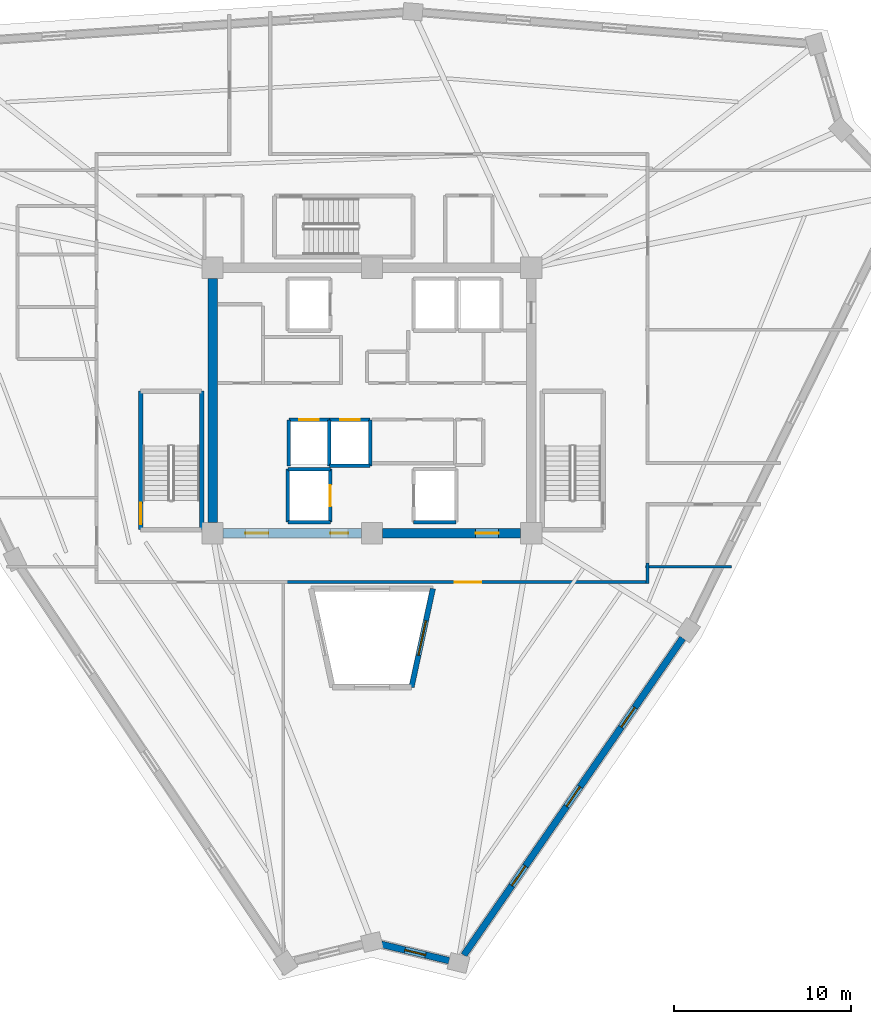
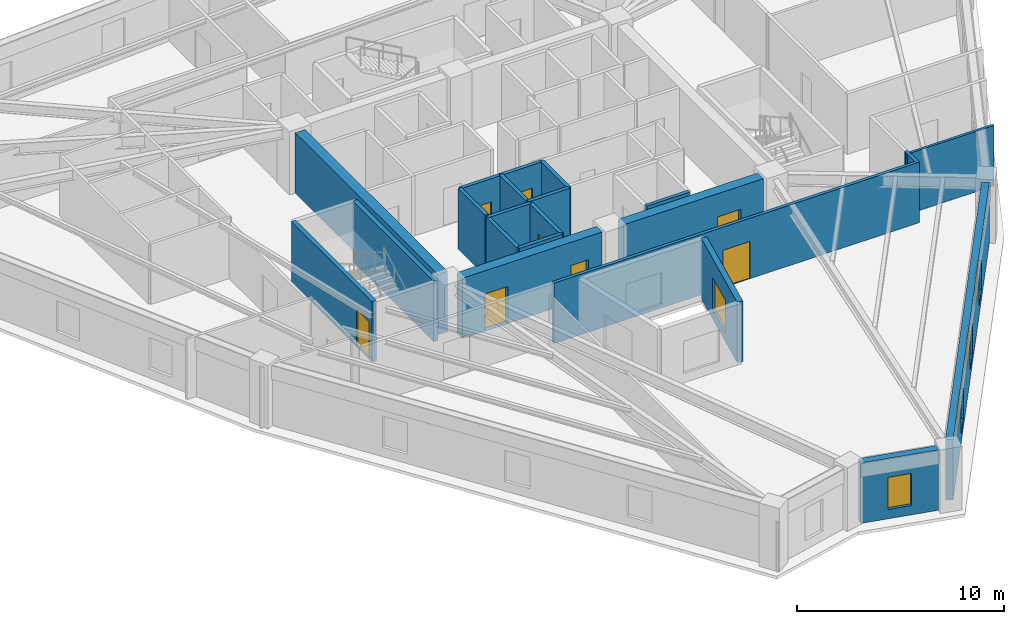
# One storey, part 3 of 8: 22 walls, 8 doors, 5 windows, 13 openings.
"""IFC4 building model written with IfcOpenShell, lengths in metres."""

from ifc_helpers import new_model, si_unit, direction, frame, frame_2d, origin, place, context, subcontext, project, spatial, rectangle, extrude, source, transform, mapped, material, layer, layer_set, type_object, element, fill, save


model = new_model("IFC4")

# Units and contexts
model_context = context("Model", 3, precision=1e-05, world=origin(), true_north=direction((0.0, 1.0)))
body_context = subcontext(model_context, "Body", "Model", "MODEL_VIEW")
ifc_project = project(units=[si_unit("LENGTHUNIT", "METRE"), si_unit("AREAUNIT", "SQUARE_METRE"), si_unit("VOLUMEUNIT", "CUBIC_METRE"), si_unit("PLANEANGLEUNIT", "RADIAN"), si_unit("MASSUNIT", "GRAM", prefix="KILO")], contexts=[model_context])

# Site, building, storey
site_placement = place(None, origin())
site = spatial("IfcSite", under=ifc_project, at=site_placement, CompositionType="ELEMENT")
building_placement = place(site_placement, origin())
building = spatial("IfcBuilding", under=site, at=building_placement, Name="Liaohun Quay Tower", CompositionType="ELEMENT")
storey_placement = place(building_placement, frame((0.0, 0.0, 312.75)))
storey = spatial("IfcBuildingStorey", under=building, at=storey_placement, Name="L81", CompositionType="ELEMENT", Elevation=312.75)

# Wall, opening, window
ifc_material_1 = material(Name="Concrete C50", Category="concrete")
ifc_layer_1 = layer(ifc_material_1, 0.300048828125, Name="Concrete C50", Category="concrete")
ifc_layer_set_1 = layer_set([ifc_layer_1], Name="Concrete C50")
wall_type_1 = type_object("IfcWallType", Name="WAL-ATR-300", PredefinedType="SOLIDWALL", material=ifc_layer_set_1)
wall_1_placement = place(storey_placement, frame((63.44091796875, 43.3701171875, 0.0), z_axis=(0.0, 0.0, 1.0), x_axis=(-0.21145116659, -0.977388563545, 0.0)))
wall_1 = element("IfcWall", 1, at=wall_1_placement, inside=storey, type_object=wall_type_1, Name="L81 Atrium Fire Compartment Wall 3", PredefinedType="SOLIDWALL", context=body_context, shape_type="SweptSolid", body=[
    extrude(rectangle(XDim=5.697998046875, YDim=0.300048828125, at=frame_2d((2.84912109375, 0.0))), origin(), (0.0, 0.0, 1.0), 3.570068359375),
])
shared_shape_1 = source(origin(), body_context, "Body", "SweptSolid", [
    extrude(rectangle(XDim=2.0, YDim=1.89990234375, at=frame_2d((1.0, 0.949951171875))), frame((0.0, 0.159912109375, 0.0), z_axis=(0.0, -1.0, 0.0), x_axis=(1.0, 0.0, 0.0)), (0.0, 0.0, 1.0), 0.320068359375),
])
opening_1_placement = place(wall_1_placement, frame((1.84912109375, 0.0, 0.550048828125)))
opening_1 = element("IfcOpeningElement", 2, at=opening_1_placement, cuts=wall_1, Name="Opening W07", PredefinedType="OPENING", context=body_context, shape_type="MappedRepresentation", body=[
    mapped(shared_shape_1, transform((0.0, 0.0, 0.0), x_axis=(1.0, 0.0, 0.0), y_axis=(0.0, 1.0, 0.0), z_axis=(0.0, 0.0, 1.0), scale=1.0)),
])
ifc_material_2 = material(Name="Class A 180-min fire-resistant insulated glazing", Category="glass")
window_type_1 = type_object("IfcWindowType", Name="WIN-ATR-FIR", PartitioningType="DOUBLE_PANEL_VERTICAL", PredefinedType="WINDOW", material=ifc_material_2)
shared_shape_2 = source(origin(), body_context, "Body", "SweptSolid", [
    extrude(rectangle(XDim=2.0, YDim=1.89990234375, at=frame_2d((1.0, 0.949951171875))), frame((0.0, 0.030029296875, 0.0), z_axis=(0.0, -1.0, 0.0), x_axis=(1.0, 0.0, 0.0)), (0.0, 0.0, 1.0), 0.06005859375),
])
window_1_placement = place(opening_1_placement, origin())
window_1 = element("IfcWindow", 3, at=window_1_placement, inside=storey, type_object=window_type_1, Name="L81 Atrium Fire-Resistant Glazing W07-3", OverallHeight=1.89990234375, OverallWidth=2.0, PartitioningType="DOUBLE_PANEL_VERTICAL", PredefinedType="WINDOW", context=body_context, shape_type="MappedRepresentation", body=[
    mapped(shared_shape_2, transform((0.0, 0.0, 0.0), x_axis=(1.0, 0.0, 0.0), y_axis=(0.0, 1.0, 0.0), z_axis=(0.0, 0.0, 1.0), scale=1.0)),
])
fill(opening_1, window_1)

# Wall, opening, door
ifc_layer_2 = layer(ifc_material_1, 0.550048828125, Name="Concrete C50", Category="concrete")
ifc_layer_set_2 = layer_set([ifc_layer_2], Name="Concrete C50")
wall_type_2 = type_object("IfcWallType", Name="WAL-COR-Z4", PredefinedType="SHEAR", material=ifc_layer_set_2)
wall_2_placement = place(storey_placement, frame((68.39990234375, 46.5, 0.0), z_axis=(0.0, 0.0, 1.0), x_axis=(-1.0, 0.0, 0.0)))
wall_2 = element("IfcWall", 4, at=wall_2_placement, inside=storey, type_object=wall_type_2, Name="L81 Central Core Shear Wall S-E", PredefinedType="SHEAR", context=body_context, shape_type="SweptSolid", body=[
    extrude(rectangle(XDim=7.7998046875, YDim=0.550048828125, at=frame_2d((3.89990234375, 0.0))), origin(), (0.0, 0.0, 1.0), 3.570068359375),
])
shared_shape_3 = source(origin(), body_context, "Body", "SweptSolid", [
    extrude(rectangle(XDim=1.300048828125, YDim=2.199951171875, at=frame_2d((0.64990234375, 1.10009765625))), frame((0.0, 0.284912109375, 0.0), z_axis=(0.0, -1.0, 0.0), x_axis=(1.0, 0.0, 0.0)), (0.0, 0.0, 1.0), 0.570068359375),
])
opening_2_placement = place(wall_2_placement, frame((1.25, 0.0, 0.0)))
opening_2 = element("IfcOpeningElement", 5, at=opening_2_placement, cuts=wall_2, Name="Opening FD1", PredefinedType="OPENING", context=body_context, shape_type="MappedRepresentation", body=[
    mapped(shared_shape_3, transform((0.0, 0.0, 0.0), x_axis=(1.0, 0.0, 0.0), y_axis=(0.0, 1.0, 0.0), z_axis=(0.0, 0.0, 1.0), scale=1.0)),
])
ifc_material_3 = material(Name="Galvanised steel smokeproof fire door", Category="steel")
door_type_1 = type_object("IfcDoorType", Name="DOR-FFL-1300", OperationType="NOTDEFINED", PredefinedType="DOOR", material=ifc_material_3)
shared_shape_4 = source(origin(), body_context, "Body", "SweptSolid", [
    extrude(rectangle(XDim=1.300048828125, YDim=2.199951171875, at=frame_2d((0.64990234375, 1.10009765625))), frame((0.0, 0.02490234375, 0.0), z_axis=(0.0, -1.0, 0.0), x_axis=(1.0, 0.0, 0.0)), (0.0, 0.0, 1.0), 0.050048828125),
])
door_1_placement = place(opening_2_placement, origin())
door_1 = element("IfcDoor", 6, at=door_1_placement, inside=storey, type_object=door_type_1, Name="L81 East Core Lift Lobby Smokeproof Door", OperationType="SINGLE_SWING_LEFT", OverallHeight=2.199951171875, OverallWidth=1.300048828125, PredefinedType="DOOR", context=body_context, shape_type="MappedRepresentation", body=[
    mapped(shared_shape_4, transform((0.0, 0.0, 0.0), x_axis=(1.0, 0.0, 0.0), y_axis=(0.0, 1.0, 0.0), z_axis=(0.0, 0.0, 1.0), scale=1.0)),
])
fill(opening_2, door_1)

# Wall, openings, doors
wall_3_placement = place(storey_placement, frame((59.39990234375, 46.5, 0.0), z_axis=(0.0, 0.0, 1.0), x_axis=(-1.0, 0.0, 0.0)))
wall_3 = element("IfcWall", 7, at=wall_3_placement, inside=storey, type_object=wall_type_2, Name="L81 Central Core Shear Wall S-W", PredefinedType="SHEAR", context=body_context, shape_type="SweptSolid", body=[
    extrude(rectangle(XDim=7.7998046875, YDim=0.550048828125, at=frame_2d((3.89990234375, 0.0))), origin(), (0.0, 0.0, 1.0), 3.570068359375),
])
opening_3_placement = place(wall_3_placement, frame((5.25, 0.0, 0.0)))
opening_3 = element("IfcOpeningElement", 8, at=opening_3_placement, cuts=wall_3, Name="Opening FD1", PredefinedType="OPENING", context=body_context, shape_type="MappedRepresentation", body=[
    mapped(shared_shape_3, transform((0.0, 0.0, 0.0), x_axis=(1.0, 0.0, 0.0), y_axis=(0.0, 1.0, 0.0), z_axis=(0.0, 0.0, 1.0), scale=1.0)),
])
shared_shape_5 = source(origin(), body_context, "Body", "SweptSolid", [
    extrude(rectangle(XDim=1.0, YDim=2.199951171875, at=frame_2d((0.5, 1.10009765625))), frame((0.0, 0.284912109375, 0.0), z_axis=(0.0, -1.0, 0.0), x_axis=(1.0, 0.0, 0.0)), (0.0, 0.0, 1.0), 0.570068359375),
])
opening_4_placement = place(wall_3_placement, frame((0.75, 0.0, 0.0)))
opening_4 = element("IfcOpeningElement", 9, at=opening_4_placement, cuts=wall_3, Name="Opening FD2", PredefinedType="OPENING", context=body_context, shape_type="MappedRepresentation", body=[
    mapped(shared_shape_5, transform((0.0, 0.0, 0.0), x_axis=(1.0, 0.0, 0.0), y_axis=(0.0, 1.0, 0.0), z_axis=(0.0, 0.0, 1.0), scale=1.0)),
])
door_2_placement = place(opening_3_placement, origin())
door_2 = element("IfcDoor", 10, at=door_2_placement, inside=storey, type_object=door_type_1, Name="L81 West Core Lift Lobby Smokeproof Door", OperationType="SINGLE_SWING_RIGHT", OverallHeight=2.199951171875, OverallWidth=1.300048828125, PredefinedType="DOOR", context=body_context, shape_type="MappedRepresentation", body=[
    mapped(shared_shape_4, transform((0.0, 0.0, 0.0), x_axis=(1.0, 0.0, 0.0), y_axis=(0.0, 1.0, 0.0), z_axis=(0.0, 0.0, 1.0), scale=1.0)),
])
fill(opening_3, door_2)
ifc_material_4 = material(Name="Galvanised steel smokeproof lobby fire door", Category="steel")
door_type_2 = type_object("IfcDoorType", Name="DOR-FFL-1000", OperationType="NOTDEFINED", PredefinedType="DOOR", material=ifc_material_4)
shared_shape_6 = source(origin(), body_context, "Body", "SweptSolid", [
    extrude(rectangle(XDim=1.0, YDim=2.199951171875, at=frame_2d((0.5, 1.10009765625))), frame((0.0, 0.02490234375, 0.0), z_axis=(0.0, -1.0, 0.0), x_axis=(1.0, 0.0, 0.0)), (0.0, 0.0, 1.0), 0.050048828125),
])
door_3_placement = place(opening_4_placement, origin())
door_3 = element("IfcDoor", 11, at=door_3_placement, inside=storey, type_object=door_type_2, Name="L81 South Firefighting Lobby Smokeproof Door", OperationType="SINGLE_SWING_LEFT", OverallHeight=2.199951171875, OverallWidth=1.0, PredefinedType="DOOR", context=body_context, shape_type="MappedRepresentation", body=[
    mapped(shared_shape_6, transform((0.0, 0.0, 0.0), x_axis=(1.0, 0.0, 0.0), y_axis=(0.0, 1.0, 0.0), z_axis=(0.0, 0.0, 1.0), scale=1.0)),
])
fill(opening_4, door_3)

# Wall
wall_4_placement = place(storey_placement, frame((51.0, 47.10009765625, 0.0), z_axis=(0.0, 0.0, 1.0), x_axis=(0.0, 1.0, 0.0)))
element("IfcWall", 12, at=wall_4_placement, inside=storey, type_object=wall_type_2, Name="L81 Central Core Shear Wall W", PredefinedType="SHEAR", context=body_context, shape_type="SweptSolid", body=[
    extrude(rectangle(XDim=13.7998046875, YDim=0.550048828125, at=frame_2d((6.89990234375, 0.0))), origin(), (0.0, 0.0, 1.0), 3.570068359375),
])

# Wall, opening, window
ifc_material_5 = material(Name="Precast concrete C50 insulated sandwich", Category="concrete")
ifc_layer_3 = layer(ifc_material_5, 0.3798828125, Name="Precast concrete C50 insulated sandwich", Category="concrete")
ifc_layer_set_3 = layer_set([ifc_layer_3], Name="Precast concrete C50 insulated sandwich")
wall_type_3 = type_object("IfcWallType", Name="WAL-EXT-Z34", PredefinedType="SOLIDWALL", material=ifc_layer_set_3)
wall_5_placement = place(storey_placement, frame((60.52490234375, 23.281005859375, 0.0), z_axis=(0.0, 0.0, 1.0), x_axis=(0.972065658594, -0.234709086705, 0.0)))
wall_5 = element("IfcWall", 13, at=wall_5_placement, inside=storey, type_object=wall_type_3, Name="L81 Brutalist Precast Pier Wall 01", PredefinedType="SOLIDWALL", context=body_context, shape_type="SweptSolid", body=[
    extrude(rectangle(XDim=3.9453125, YDim=0.3798828125, at=frame_2d((1.97265625, 0.0))), origin(), (0.0, 0.0, 1.0), 3.570068359375),
])
shared_shape_7 = source(origin(), body_context, "Body", "SweptSolid", [
    extrude(rectangle(XDim=1.199951171875, YDim=1.89990234375, at=frame_2d((0.60009765625, 0.949951171875))), frame((0.0, 0.199951171875, 0.0), z_axis=(0.0, -1.0, 0.0), x_axis=(1.0, 0.0, 0.0)), (0.0, 0.0, 1.0), 0.39990234375),
])
opening_5_placement = place(wall_5_placement, frame((1.373046875, 0.0, 0.550048828125)))
opening_5 = element("IfcOpeningElement", 14, at=opening_5_placement, cuts=wall_5, Name="Opening W05", PredefinedType="OPENING", context=body_context, shape_type="MappedRepresentation", body=[
    mapped(shared_shape_7, transform((0.0, 0.0, 0.0), x_axis=(1.0, 0.0, 0.0), y_axis=(0.0, 1.0, 0.0), z_axis=(0.0, 0.0, 1.0), scale=1.0)),
])
ifc_material_6 = material(Name="Triple Low-E corner notch glazing", Category="glass")
window_type_2 = type_object("IfcWindowType", Name="WIN-NOTCH", PartitioningType="SINGLE_PANEL", PredefinedType="WINDOW", material=ifc_material_6)
shared_shape_8 = source(origin(), body_context, "Body", "SweptSolid", [
    extrude(rectangle(XDim=1.199951171875, YDim=1.89990234375, at=frame_2d((0.60009765625, 0.949951171875))), frame((0.0, 0.030029296875, 0.0), z_axis=(0.0, -1.0, 0.0), x_axis=(1.0, 0.0, 0.0)), (0.0, 0.0, 1.0), 0.06005859375),
])
window_2_placement = place(opening_5_placement, origin())
window_2 = element("IfcWindow", 15, at=window_2_placement, inside=storey, type_object=window_type_2, Name="L81 Corner Notch Window W05-01", OverallHeight=1.89990234375, OverallWidth=1.199951171875, PartitioningType="SINGLE_PANEL", PredefinedType="WINDOW", context=body_context, shape_type="MappedRepresentation", body=[
    mapped(shared_shape_8, transform((0.0, 0.0, 0.0), x_axis=(1.0, 0.0, 0.0), y_axis=(0.0, 1.0, 0.0), z_axis=(0.0, 0.0, 1.0), scale=1.0)),
])
fill(opening_5, window_2)

# Wall, openings, windows
wall_6_placement = place(storey_placement, frame((65.19189453125, 22.672119140625, 0.0), z_axis=(0.0, 0.0, 1.0), x_axis=(0.568115456304, 0.822948861296, 0.0)))
wall_6 = element("IfcWall", 16, at=wall_6_placement, inside=storey, type_object=wall_type_3, Name="L81 Brutalist Precast Pier Wall 02", PredefinedType="SOLIDWALL", context=body_context, shape_type="SweptSolid", body=[
    extrude(rectangle(XDim=21.758056640625, YDim=0.3798828125, at=frame_2d((10.87890625, 0.0))), origin(), (0.0, 0.0, 1.0), 3.570068359375),
])
shared_shape_9 = source(origin(), body_context, "Body", "SweptSolid", [
    extrude(rectangle(XDim=1.35009765625, YDim=1.85009765625, at=frame_2d((0.675048828125, 0.925048828125))), frame((0.0, 0.199951171875, 0.0), z_axis=(0.0, -1.0, 0.0), x_axis=(1.0, 0.0, 0.0)), (0.0, 0.0, 1.0), 0.39990234375),
])
opening_6_placement = place(wall_6_placement, frame((4.764892578125, 0.0, 0.550048828125)))
opening_6 = element("IfcOpeningElement", 17, at=opening_6_placement, cuts=wall_6, Name="Opening W04", PredefinedType="OPENING", context=body_context, shape_type="MappedRepresentation", body=[
    mapped(shared_shape_9, transform((0.0, 0.0, 0.0), x_axis=(1.0, 0.0, 0.0), y_axis=(0.0, 1.0, 0.0), z_axis=(0.0, 0.0, 1.0), scale=1.0)),
])
opening_7_placement = place(wall_6_placement, frame((10.2041015625, 0.0, 0.550048828125)))
opening_7 = element("IfcOpeningElement", 18, at=opening_7_placement, cuts=wall_6, Name="Opening W04", PredefinedType="OPENING", context=body_context, shape_type="MappedRepresentation", body=[
    mapped(shared_shape_9, transform((0.0, 0.0, 0.0), x_axis=(1.0, 0.0, 0.0), y_axis=(0.0, 1.0, 0.0), z_axis=(0.0, 0.0, 1.0), scale=1.0)),
])
opening_8_placement = place(wall_6_placement, frame((15.64404296875, 0.0, 0.550048828125)))
opening_8 = element("IfcOpeningElement", 19, at=opening_8_placement, cuts=wall_6, Name="Opening W04", PredefinedType="OPENING", context=body_context, shape_type="MappedRepresentation", body=[
    mapped(shared_shape_9, transform((0.0, 0.0, 0.0), x_axis=(1.0, 0.0, 0.0), y_axis=(0.0, 1.0, 0.0), z_axis=(0.0, 0.0, 1.0), scale=1.0)),
])
ifc_material_7 = material(Name="Triple Low-E argon glazing in thermally broken aluminium", Category="aluminium")
window_type_3 = type_object("IfcWindowType", Name="WIN-PUN-Z4", PartitioningType="SINGLE_PANEL", PredefinedType="WINDOW", material=ifc_material_7)
shared_shape_10 = source(origin(), body_context, "Body", "SweptSolid", [
    extrude(rectangle(XDim=1.35009765625, YDim=1.85009765625, at=frame_2d((0.675048828125, 0.925048828125))), frame((0.0, 0.030029296875, 0.0), z_axis=(0.0, -1.0, 0.0), x_axis=(1.0, 0.0, 0.0)), (0.0, 0.0, 1.0), 0.06005859375),
])
window_3_placement = place(opening_6_placement, origin())
window_3 = element("IfcWindow", 20, at=window_3_placement, inside=storey, type_object=window_type_3, Name="L81 Recessed Cold-Climate Punched Window 02-1", OverallHeight=1.85009765625, OverallWidth=1.35009765625, PartitioningType="SINGLE_PANEL", PredefinedType="WINDOW", context=body_context, shape_type="MappedRepresentation", body=[
    mapped(shared_shape_10, transform((0.0, 0.0, 0.0), x_axis=(1.0, 0.0, 0.0), y_axis=(0.0, 1.0, 0.0), z_axis=(0.0, 0.0, 1.0), scale=1.0)),
])
fill(opening_6, window_3)
window_4_placement = place(opening_7_placement, origin())
window_4 = element("IfcWindow", 21, at=window_4_placement, inside=storey, type_object=window_type_3, Name="L81 Recessed Cold-Climate Punched Window 02-2", OverallHeight=1.85009765625, OverallWidth=1.35009765625, PartitioningType="SINGLE_PANEL", PredefinedType="WINDOW", context=body_context, shape_type="MappedRepresentation", body=[
    mapped(shared_shape_10, transform((0.0, 0.0, 0.0), x_axis=(1.0, 0.0, 0.0), y_axis=(0.0, 1.0, 0.0), z_axis=(0.0, 0.0, 1.0), scale=1.0)),
])
fill(opening_7, window_4)
window_5_placement = place(opening_8_placement, origin())
window_5 = element("IfcWindow", 22, at=window_5_placement, inside=storey, type_object=window_type_3, Name="L81 Recessed Cold-Climate Punched Window 02-3", OverallHeight=1.85009765625, OverallWidth=1.35009765625, PartitioningType="SINGLE_PANEL", PredefinedType="WINDOW", context=body_context, shape_type="MappedRepresentation", body=[
    mapped(shared_shape_10, transform((0.0, 0.0, 0.0), x_axis=(1.0, 0.0, 0.0), y_axis=(0.0, 1.0, 0.0), z_axis=(0.0, 0.0, 1.0), scale=1.0)),
])
fill(opening_8, window_5)

# Wall, opening, door
ifc_material_8 = material(Name="Autoclaved aerated concrete blockwork", Category="masonry")
ifc_layer_4 = layer(ifc_material_8, 0.179931640625, Name="Autoclaved aerated concrete blockwork", Category="masonry")
ifc_layer_set_4 = layer_set([ifc_layer_4], Name="Autoclaved aerated concrete blockwork")
wall_type_4 = type_object("IfcWallType", Name="WAL-PRT-COR", PredefinedType="PARTITIONING", material=ifc_layer_set_4)
wall_7_placement = place(storey_placement, frame((75.6298828125, 43.739990234375, 0.0), z_axis=(0.0, 0.0, 1.0), x_axis=(-1.0, 0.0, 0.0)))
wall_7 = element("IfcWall", 23, at=wall_7_placement, inside=storey, type_object=wall_type_4, Name="L81 Interior Partition Wall 022", PredefinedType="PARTITIONING", context=body_context, shape_type="SweptSolid", body=[
    extrude(rectangle(XDim=20.414794921875, YDim=0.179931640625, at=frame_2d((10.20751953125, 0.0))), origin(), (0.0, 0.0, 1.0), 3.570068359375),
])
shared_shape_11 = source(origin(), body_context, "Body", "SweptSolid", [
    extrude(rectangle(XDim=1.5, YDim=2.199951171875, at=frame_2d((0.75, 1.10009765625))), frame((0.0, 0.099853515625, 0.0), z_axis=(0.0, -1.0, 0.0), x_axis=(1.0, 0.0, 0.0)), (0.0, 0.0, 1.0), 0.199951171875),
])
opening_9_placement = place(wall_7_placement, frame((9.45703125, 0.0, 0.0)))
opening_9 = element("IfcOpeningElement", 24, at=opening_9_placement, cuts=wall_7, Name="Opening OD2", PredefinedType="OPENING", context=body_context, shape_type="MappedRepresentation", body=[
    mapped(shared_shape_11, transform((0.0, 0.0, 0.0), x_axis=(1.0, 0.0, 0.0), y_axis=(0.0, 1.0, 0.0), z_axis=(0.0, 0.0, 1.0), scale=1.0)),
])
ifc_material_9 = material(Name="Acoustic oak veneer double door")
door_type_3 = type_object("IfcDoorType", Name="DOR-OFF-1500", OperationType="DOUBLE_DOOR_SINGLE_SWING", PredefinedType="DOOR", material=ifc_material_9)
shared_shape_12 = source(origin(), body_context, "Body", "SweptSolid", [
    extrude(rectangle(XDim=1.5, YDim=2.199951171875, at=frame_2d((0.75, 1.10009765625))), frame((0.0, 0.02490234375, 0.0), z_axis=(0.0, -1.0, 0.0), x_axis=(1.0, 0.0, 0.0)), (0.0, 0.0, 1.0), 0.050048828125),
])
door_4_placement = place(opening_9_placement, origin())
door_4 = element("IfcDoor", 25, at=door_4_placement, inside=storey, type_object=door_type_3, Name="L81 Corporate Exhibition Gallery 08 Door", OperationType="DOUBLE_DOOR_SINGLE_SWING", OverallHeight=2.199951171875, OverallWidth=1.5, PredefinedType="DOOR", context=body_context, shape_type="MappedRepresentation", body=[
    mapped(shared_shape_12, transform((0.0, 0.0, 0.0), x_axis=(1.0, 0.0, 0.0), y_axis=(0.0, 1.0, 0.0), z_axis=(0.0, 0.0, 1.0), scale=1.0)),
])
fill(opening_9, door_4)

# Walls
wall_8_placement = place(storey_placement, frame((75.56005859375, 44.81494140625, 0.0), z_axis=(0.0, 0.0, 1.0), x_axis=(0.0, -1.0, 0.0)))
element("IfcWall", 26, at=wall_8_placement, inside=storey, type_object=wall_type_4, Name="L81 Interior Partition Wall 048", PredefinedType="PARTITIONING", context=body_context, shape_type="SweptSolid", body=[
    extrude(rectangle(XDim=1.14501953125, YDim=0.179931640625, at=frame_2d((0.572509765625, 0.0))), origin(), (0.0, 0.0, 1.0), 3.570068359375),
])
ifc_material_10 = material(Name="Gypsum board on twin steel studs", Category="steel")
ifc_layer_5 = layer(ifc_material_10, 0.139892578125, Name="Gypsum board on twin steel studs", Category="steel")
ifc_layer_set_5 = layer_set([ifc_layer_5], Name="Gypsum board on twin steel studs")
wall_type_5 = type_object("IfcWallType", Name="WAL-PRT-OFF", PredefinedType="PARTITIONING", material=ifc_layer_set_5)
wall_9_placement = place(storey_placement, frame((75.4599609375, 44.60009765625, 0.0), z_axis=(0.0, 0.0, 1.0), x_axis=(1.0, 0.0, 0.0)))
element("IfcWall", 27, at=wall_9_placement, inside=storey, type_object=wall_type_5, Name="L81 Interior Partition Wall 053", PredefinedType="PARTITIONING", context=body_context, shape_type="SweptSolid", body=[
    extrude(rectangle(XDim=4.85693359375, YDim=0.139892578125, at=frame_2d((2.428466796875, 0.0))), origin(), (0.0, 0.0, 1.0), 3.570068359375),
])
ifc_layer_6 = layer(ifc_material_1, 0.239990234375, Name="Concrete C50", Category="concrete")
ifc_layer_set_6 = layer_set([ifc_layer_6], Name="Concrete C50")
wall_type_6 = type_object("IfcWallType", Name="WAL-SHF-200", PredefinedType="SOLIDWALL", material=ifc_layer_set_6)
wall_10_placement = place(storey_placement, frame((50.3798828125, 46.699951171875, 0.0), z_axis=(0.0, 0.0, 1.0), x_axis=(0.0, 1.0, 0.0)))
element("IfcWall", 28, at=wall_10_placement, inside=storey, type_object=wall_type_6, Name="L81 Stairwell ST-1 Structural Core Wall E", PredefinedType="SOLIDWALL", context=body_context, shape_type="SweptSolid", body=[
    extrude(rectangle(XDim=7.820068359375, YDim=0.239990234375, at=frame_2d((3.91015625, 0.0))), origin(), (0.0, 0.0, 1.0), 3.570068359375),
])

# Wall, opening, door
wall_11_placement = place(storey_placement, frame((46.93994140625, 54.52001953125, 0.0), z_axis=(0.0, 0.0, 1.0), x_axis=(0.0, -1.0, 0.0)))
wall_11 = element("IfcWall", 29, at=wall_11_placement, inside=storey, type_object=wall_type_6, Name="L81 Stairwell ST-1 Structural Core Wall W", PredefinedType="SOLIDWALL", context=body_context, shape_type="SweptSolid", body=[
    extrude(rectangle(XDim=7.820068359375, YDim=0.239990234375, at=frame_2d((3.91015625, 0.0))), origin(), (0.0, 0.0, 1.0), 3.570068359375),
])
shared_shape_13 = source(origin(), body_context, "Body", "SweptSolid", [
    extrude(rectangle(XDim=1.199951171875, YDim=2.199951171875, at=frame_2d((0.60009765625, 1.10009765625))), frame((0.0, 0.1298828125, 0.0), z_axis=(0.0, -1.0, 0.0), x_axis=(1.0, 0.0, 0.0)), (0.0, 0.0, 1.0), 0.260009765625),
])
opening_10_placement = place(wall_11_placement, frame((6.300048828125, 0.0, 0.0)))
opening_10 = element("IfcOpeningElement", 30, at=opening_10_placement, cuts=wall_11, Name="Opening SD1", PredefinedType="OPENING", context=body_context, shape_type="MappedRepresentation", body=[
    mapped(shared_shape_13, transform((0.0, 0.0, 0.0), x_axis=(1.0, 0.0, 0.0), y_axis=(0.0, 1.0, 0.0), z_axis=(0.0, 0.0, 1.0), scale=1.0)),
])
ifc_material_11 = material(Name="Galvanised steel fire door", Category="steel")
door_type_4 = type_object("IfcDoorType", Name="DOR-STR-1200", OperationType="NOTDEFINED", PredefinedType="DOOR", material=ifc_material_11)
shared_shape_14 = source(origin(), body_context, "Body", "SweptSolid", [
    extrude(rectangle(XDim=1.199951171875, YDim=2.199951171875, at=frame_2d((0.60009765625, 1.10009765625))), frame((0.0, 0.02490234375, 0.0), z_axis=(0.0, -1.0, 0.0), x_axis=(1.0, 0.0, 0.0)), (0.0, 0.0, 1.0), 0.050048828125),
])
door_5_placement = place(opening_10_placement, origin())
door_5 = element("IfcDoor", 31, at=door_5_placement, inside=storey, type_object=door_type_4, Name="L81 Protected Stair ST-1 Fire Door", OperationType="SINGLE_SWING_LEFT", OverallHeight=2.199951171875, OverallWidth=1.199951171875, PredefinedType="DOOR", context=body_context, shape_type="MappedRepresentation", body=[
    mapped(shared_shape_14, transform((0.0, 0.0, 0.0), x_axis=(1.0, 0.0, 0.0), y_axis=(0.0, 1.0, 0.0), z_axis=(0.0, 0.0, 1.0), scale=1.0)),
])
fill(opening_10, door_5)

# Wall
wall_12_placement = place(storey_placement, frame((55.25, 47.1201171875, 0.0), z_axis=(0.0, 0.0, 1.0), x_axis=(1.0, 0.0, 0.0)))
element("IfcWall", 32, at=wall_12_placement, inside=storey, type_object=wall_type_6, Name="L81 Lift FF-01 Hoistway Wall S", PredefinedType="SOLIDWALL", context=body_context, shape_type="SweptSolid", body=[
    extrude(rectangle(XDim=2.39990234375, YDim=0.199951171875, at=frame_2d((1.199951171875, 0.0))), origin(), (0.0, 0.0, 1.0), 3.570068359375),
])

# Wall, opening, door
wall_13_placement = place(storey_placement, frame((57.64990234375, 47.1201171875, 0.0), z_axis=(0.0, 0.0, 1.0), x_axis=(0.0, 1.0, 0.0)))
wall_13 = element("IfcWall", 33, at=wall_13_placement, inside=storey, type_object=wall_type_6, Name="L81 Lift FF-01 Hoistway Wall E", PredefinedType="SOLIDWALL", context=body_context, shape_type="SweptSolid", body=[
    extrude(rectangle(XDim=3.0, YDim=0.199951171875, at=frame_2d((1.5, 0.0))), origin(), (0.0, 0.0, 1.0), 3.570068359375),
])
shared_shape_15 = source(origin(), body_context, "Body", "SweptSolid", [
    extrude(rectangle(XDim=1.199951171875, YDim=2.300048828125, at=frame_2d((0.60009765625, 1.14990234375))), frame((0.0, 0.10986328125, 0.0), z_axis=(0.0, -1.0, 0.0), x_axis=(1.0, 0.0, 0.0)), (0.0, 0.0, 1.0), 0.219970703125),
])
opening_11_placement = place(wall_13_placement, frame((0.89990234375, 0.0, 0.0)))
opening_11 = element("IfcOpeningElement", 34, at=opening_11_placement, cuts=wall_13, Name="Opening LD2", PredefinedType="OPENING", context=body_context, shape_type="MappedRepresentation", body=[
    mapped(shared_shape_15, transform((0.0, 0.0, 0.0), x_axis=(1.0, 0.0, 0.0), y_axis=(0.0, 1.0, 0.0), z_axis=(0.0, 0.0, 1.0), scale=1.0)),
])
ifc_material_12 = material(Name="Brushed stainless steel stretcher landing door", Category="steel")
door_type_5 = type_object("IfcDoorType", Name="DOR-LFT-1200", OperationType="SLIDING_TO_LEFT", PredefinedType="DOOR", material=ifc_material_12)
shared_shape_16 = source(origin(), body_context, "Body", "SweptSolid", [
    extrude(rectangle(XDim=1.199951171875, YDim=2.300048828125, at=frame_2d((0.60009765625, 1.14990234375))), frame((0.0, 0.02490234375, 0.0), z_axis=(0.0, -1.0, 0.0), x_axis=(1.0, 0.0, 0.0)), (0.0, 0.0, 1.0), 0.050048828125),
])
door_6_placement = place(opening_11_placement, origin())
door_6 = element("IfcDoor", 35, at=door_6_placement, inside=storey, type_object=door_type_5, Name="L81 Lift FF-01 Sliding Landing Door", OperationType="SLIDING_TO_LEFT", OverallHeight=2.300048828125, OverallWidth=1.199951171875, PredefinedType="DOOR", context=body_context, shape_type="MappedRepresentation", body=[
    mapped(shared_shape_16, transform((0.0, 0.0, 0.0), x_axis=(1.0, 0.0, 0.0), y_axis=(0.0, 1.0, 0.0), z_axis=(0.0, 0.0, 1.0), scale=1.0)),
])
fill(opening_11, door_6)

# Walls
wall_14_placement = place(storey_placement, frame((57.64990234375, 50.1201171875, 0.0), z_axis=(0.0, 0.0, 1.0), x_axis=(-1.0, 0.0, 0.0)))
element("IfcWall", 36, at=wall_14_placement, inside=storey, type_object=wall_type_6, Name="L81 Lift FF-01 Hoistway Wall N", PredefinedType="SOLIDWALL", context=body_context, shape_type="SweptSolid", body=[
    extrude(rectangle(XDim=2.39990234375, YDim=0.199951171875, at=frame_2d((1.199951171875, 0.0))), origin(), (0.0, 0.0, 1.0), 3.570068359375),
])
wall_15_placement = place(storey_placement, frame((55.25, 50.1201171875, 0.0), z_axis=(0.0, 0.0, 1.0), x_axis=(0.0, -1.0, 0.0)))
element("IfcWall", 37, at=wall_15_placement, inside=storey, type_object=wall_type_6, Name="L81 Lift FF-01 Hoistway Wall W", PredefinedType="SOLIDWALL", context=body_context, shape_type="SweptSolid", body=[
    extrude(rectangle(XDim=3.0, YDim=0.199951171875, at=frame_2d((1.5, 0.0))), origin(), (0.0, 0.0, 1.0), 3.570068359375),
])
wall_16_placement = place(storey_placement, frame((62.35009765625, 47.1201171875, 0.0), z_axis=(0.0, 0.0, 1.0), x_axis=(1.0, 0.0, 0.0)))
element("IfcWall", 38, at=wall_16_placement, inside=storey, type_object=wall_type_6, Name="L81 Lift FF-02 Hoistway Wall S", PredefinedType="SOLIDWALL", context=body_context, shape_type="SweptSolid", body=[
    extrude(rectangle(XDim=2.39990234375, YDim=0.199951171875, at=frame_2d((1.199951171875, 0.0))), origin(), (0.0, 0.0, 1.0), 3.570068359375),
])
wall_17_placement = place(storey_placement, frame((57.60009765625, 50.300048828125, 0.0), z_axis=(0.0, 0.0, 1.0), x_axis=(0.0, 1.0, 0.0)))
element("IfcWall", 39, at=wall_17_placement, inside=storey, type_object=wall_type_6, Name="L81 Lift PL-4A Hoistway Wall E", PredefinedType="SOLIDWALL", context=body_context, shape_type="SweptSolid", body=[
    extrude(rectangle(XDim=2.599853515625, YDim=0.199951171875, at=frame_2d((1.2998046875, 0.0))), origin(), (0.0, 0.0, 1.0), 3.570068359375),
])

# Wall, opening, door
wall_18_placement = place(storey_placement, frame((57.60009765625, 52.89990234375, 0.0), z_axis=(0.0, 0.0, 1.0), x_axis=(-1.0, 0.0, 0.0)))
wall_18 = element("IfcWall", 40, at=wall_18_placement, inside=storey, type_object=wall_type_6, Name="L81 Lift PL-4A Hoistway Wall N", PredefinedType="SOLIDWALL", context=body_context, shape_type="SweptSolid", body=[
    extrude(rectangle(XDim=2.300048828125, YDim=0.199951171875, at=frame_2d((1.14990234375, 0.0))), origin(), (0.0, 0.0, 1.0), 3.570068359375),
])
shared_shape_17 = source(origin(), body_context, "Body", "SweptSolid", [
    extrude(rectangle(XDim=1.10009765625, YDim=2.199951171875, at=frame_2d((0.550048828125, 1.10009765625))), frame((0.0, 0.10986328125, 0.0), z_axis=(0.0, -1.0, 0.0), x_axis=(1.0, 0.0, 0.0)), (0.0, 0.0, 1.0), 0.219970703125),
])
opening_12_placement = place(wall_18_placement, frame((0.60009765625, 0.0, 0.0)))
opening_12 = element("IfcOpeningElement", 41, at=opening_12_placement, cuts=wall_18, Name="Opening LD1", PredefinedType="OPENING", context=body_context, shape_type="MappedRepresentation", body=[
    mapped(shared_shape_17, transform((0.0, 0.0, 0.0), x_axis=(1.0, 0.0, 0.0), y_axis=(0.0, 1.0, 0.0), z_axis=(0.0, 0.0, 1.0), scale=1.0)),
])
ifc_material_13 = material(Name="Brushed stainless steel landing door", Category="steel")
door_type_6 = type_object("IfcDoorType", Name="DOR-LFT-1100", OperationType="SLIDING_TO_LEFT", PredefinedType="DOOR", material=ifc_material_13)
shared_shape_18 = source(origin(), body_context, "Body", "SweptSolid", [
    extrude(rectangle(XDim=1.10009765625, YDim=2.199951171875, at=frame_2d((0.550048828125, 1.10009765625))), frame((0.0, 0.02490234375, 0.0), z_axis=(0.0, -1.0, 0.0), x_axis=(1.0, 0.0, 0.0)), (0.0, 0.0, 1.0), 0.050048828125),
])
door_7_placement = place(opening_12_placement, origin())
door_7 = element("IfcDoor", 42, at=door_7_placement, inside=storey, type_object=door_type_6, Name="L81 Lift PL-4A Sliding Landing Door", OperationType="SLIDING_TO_LEFT", OverallHeight=2.199951171875, OverallWidth=1.10009765625, PredefinedType="DOOR", context=body_context, shape_type="MappedRepresentation", body=[
    mapped(shared_shape_18, transform((0.0, 0.0, 0.0), x_axis=(1.0, 0.0, 0.0), y_axis=(0.0, 1.0, 0.0), z_axis=(0.0, 0.0, 1.0), scale=1.0)),
])
fill(opening_12, door_7)

# Walls
wall_19_placement = place(storey_placement, frame((55.300048828125, 52.89990234375, 0.0), z_axis=(0.0, 0.0, 1.0), x_axis=(0.0, -1.0, 0.0)))
element("IfcWall", 43, at=wall_19_placement, inside=storey, type_object=wall_type_6, Name="L81 Lift PL-4A Hoistway Wall W", PredefinedType="SOLIDWALL", context=body_context, shape_type="SweptSolid", body=[
    extrude(rectangle(XDim=2.599853515625, YDim=0.199951171875, at=frame_2d((1.2998046875, 0.0))), origin(), (0.0, 0.0, 1.0), 3.570068359375),
])
wall_20_placement = place(storey_placement, frame((57.60009765625, 50.300048828125, 0.0), z_axis=(0.0, 0.0, 1.0), x_axis=(1.0, 0.0, 0.0)))
element("IfcWall", 44, at=wall_20_placement, inside=storey, type_object=wall_type_6, Name="L81 Lift PL-4B Hoistway Wall S", PredefinedType="SOLIDWALL", context=body_context, shape_type="SweptSolid", body=[
    extrude(rectangle(XDim=2.2998046875, YDim=0.199951171875, at=frame_2d((1.14990234375, 0.0))), origin(), (0.0, 0.0, 1.0), 3.570068359375),
])
wall_21_placement = place(storey_placement, frame((59.89990234375, 50.300048828125, 0.0), z_axis=(0.0, 0.0, 1.0), x_axis=(0.0, 1.0, 0.0)))
element("IfcWall", 45, at=wall_21_placement, inside=storey, type_object=wall_type_6, Name="L81 Lift PL-4B Hoistway Wall E", PredefinedType="SOLIDWALL", context=body_context, shape_type="SweptSolid", body=[
    extrude(rectangle(XDim=2.599853515625, YDim=0.199951171875, at=frame_2d((1.2998046875, 0.0))), origin(), (0.0, 0.0, 1.0), 3.570068359375),
])

# Wall, opening, door
wall_22_placement = place(storey_placement, frame((59.89990234375, 52.89990234375, 0.0), z_axis=(0.0, 0.0, 1.0), x_axis=(-1.0, 0.0, 0.0)))
wall_22 = element("IfcWall", 46, at=wall_22_placement, inside=storey, type_object=wall_type_6, Name="L81 Lift PL-4B Hoistway Wall N", PredefinedType="SOLIDWALL", context=body_context, shape_type="SweptSolid", body=[
    extrude(rectangle(XDim=2.2998046875, YDim=0.199951171875, at=frame_2d((1.14990234375, 0.0))), origin(), (0.0, 0.0, 1.0), 3.570068359375),
])
opening_13_placement = place(wall_22_placement, frame((0.60009765625, 0.0, 0.0)))
opening_13 = element("IfcOpeningElement", 47, at=opening_13_placement, cuts=wall_22, Name="Opening LD1", PredefinedType="OPENING", context=body_context, shape_type="MappedRepresentation", body=[
    mapped(shared_shape_17, transform((0.0, 0.0, 0.0), x_axis=(1.0, 0.0, 0.0), y_axis=(0.0, 1.0, 0.0), z_axis=(0.0, 0.0, 1.0), scale=1.0)),
])
door_8_placement = place(opening_13_placement, origin())
door_8 = element("IfcDoor", 48, at=door_8_placement, inside=storey, type_object=door_type_6, Name="L81 Lift PL-4B Sliding Landing Door", OperationType="SLIDING_TO_LEFT", OverallHeight=2.199951171875, OverallWidth=1.10009765625, PredefinedType="DOOR", context=body_context, shape_type="MappedRepresentation", body=[
    mapped(shared_shape_18, transform((0.0, 0.0, 0.0), x_axis=(1.0, 0.0, 0.0), y_axis=(0.0, 1.0, 0.0), z_axis=(0.0, 0.0, 1.0), scale=1.0)),
])
fill(opening_13, door_8)

save(model, "model.ifc")
